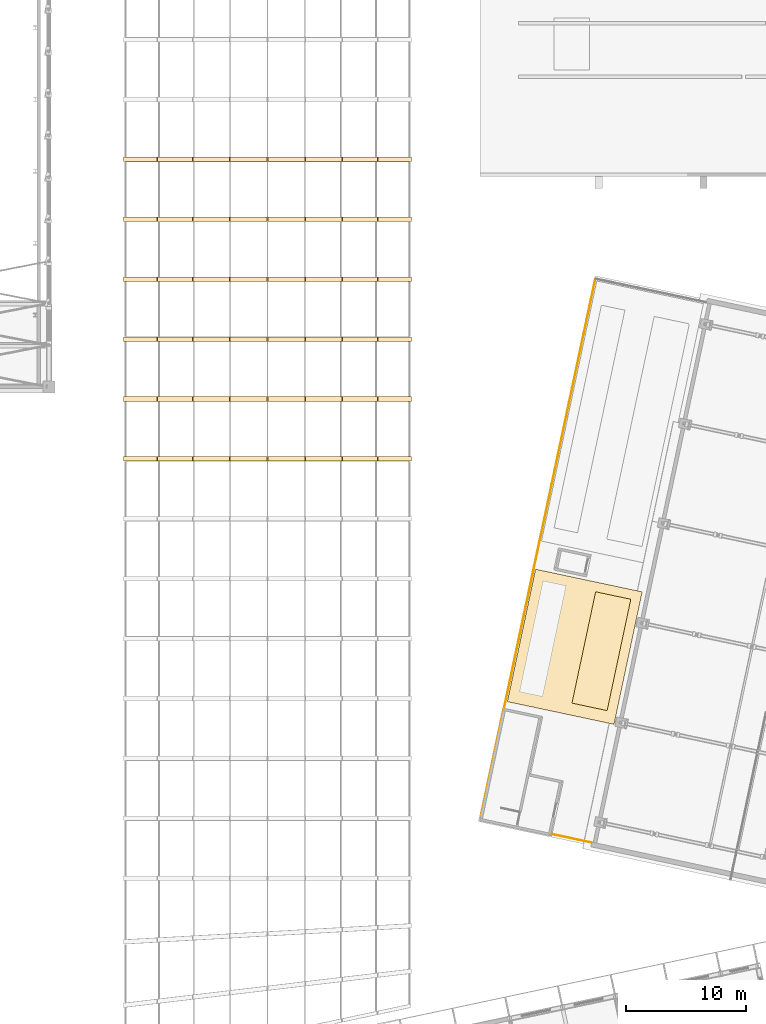
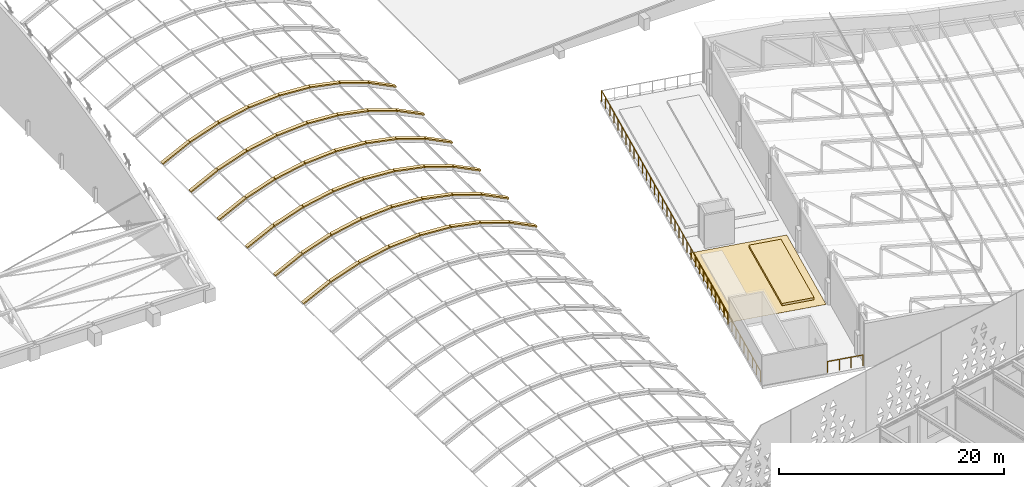
# One storey, part 194 of 196: 50 coverings, 2 railings.
"""IFC4 building model written with IfcOpenShell, lengths in metres."""

import ifcopenshell
import ifcopenshell.guid

model = None  # the IFC model being written
_history = None  # IfcOwnerHistory: only IFC2X3 demands one
_inside = {}  # id of a spatial element -> (the spatial element, [elements in it])
_under = {}  # id of a project, library or spatial element -> (it, [spatial elements below it])
_declared = {}  # id of a project -> (the project, [libraries it declares])
_typed = {}  # id of a type object -> (the type object, [elements of that type])
_made_of = {}  # id of a material, layer set ... -> (it, [elements and type objects made of it])


def new_model(schema):
    """Start an empty IFC model of exactly this schema.

    Asked for "IFC4X3", IfcOpenShell would pick the latest addendum, in which some entities
    have other attributes; the version numbers below select the first issue.
    IFC2X3 requires an IfcOwnerHistory on every rooted entity: one is made here for all.
    """
    global model, _history
    if schema == "IFC4X3":
        model = ifcopenshell.file(schema_version=(4, 3, 0, 0))
    else:
        model = ifcopenshell.file(schema=schema)
    _inside.clear()
    _under.clear()
    _declared.clear()
    _typed.clear()
    _made_of.clear()
    _history = None
    if model.schema == "IFC2X3":
        org = make("IfcOrganization", Name="unknown")
        user = make(
            "IfcPersonAndOrganization",
            ThePerson=make("IfcPerson", FamilyName="unknown"),
            TheOrganization=org,
        )
        app = make(
            "IfcApplication",
            ApplicationDeveloper=org,
            Version="unknown",
            ApplicationFullName="unknown",
            ApplicationIdentifier="unknown",
        )
        _history = make(
            "IfcOwnerHistory",
            OwningUser=user,
            OwningApplication=app,
            ChangeAction="ADDED",
            CreationDate=0,
        )
    return model


def make(cls, **values):
    """One entity of the class cls with the attributes given. An attribute that is None is left unset."""
    return model.create_entity(
        cls, **{name: value for name, value in values.items() if value is not None}
    )


def rooted(cls, **values):
    """An entity with a GlobalId (a new one), such as an element, a storey or a relation."""
    return make(cls, GlobalId=ifcopenshell.guid.new(), OwnerHistory=_history, **values)


def si_unit(unit_type, name, prefix=None):
    """IfcSIUnit, for example si_unit("LENGTHUNIT", "METRE", prefix="MILLI")."""
    return make("IfcSIUnit", UnitType=unit_type, Prefix=prefix, Name=name)


def assignment(units):
    """IfcUnitAssignment: the units of a project."""
    return None if units is None else make("IfcUnitAssignment", Units=units)


def point(xyz):
    """IfcCartesianPoint."""
    return None if xyz is None else make("IfcCartesianPoint", Coordinates=xyz)


def direction(xyz):
    """IfcDirection."""
    return None if xyz is None else make("IfcDirection", DirectionRatios=xyz)


def frame(location, z_axis=None, x_axis=None):
    """IfcAxis2Placement3D, a coordinate frame: its origin and axes. An axis left out is left unset."""
    return make(
        "IfcAxis2Placement3D",
        Location=point(location),
        Axis=direction(z_axis),
        RefDirection=direction(x_axis),
    )


def frame_2d(location, x_axis=None):
    """IfcAxis2Placement2D, a coordinate frame in the plane: its origin and x axis."""
    return make(
        "IfcAxis2Placement2D", Location=point(location), RefDirection=direction(x_axis)
    )


def origin():
    """The frame at (0, 0, 0) with its axes left unset."""
    return frame((0.0, 0.0, 0.0))


def origin_2d():
    """The frame at (0, 0) in the plane with its x axis left unset."""
    return frame_2d((0.0, 0.0))


def place(relative_to, where):
    """IfcLocalPlacement: puts the frame where relative to a parent placement (None: the world)."""
    return make(
        "IfcLocalPlacement", PlacementRelTo=relative_to, RelativePlacement=where
    )


def context(
    kind, dimensions, precision=None, world=None, true_north=None, identifier=None
):
    """IfcGeometricRepresentationContext, for example the 3D "Model" context."""
    return make(
        "IfcGeometricRepresentationContext",
        ContextIdentifier=identifier,
        ContextType=kind,
        CoordinateSpaceDimension=dimensions,
        Precision=precision,
        WorldCoordinateSystem=world,
        TrueNorth=true_north,
    )


def subcontext(parent, identifier, kind, view, scale=None):
    """IfcGeometricRepresentationSubContext, for example "Body" below "Model"."""
    return make(
        "IfcGeometricRepresentationSubContext",
        ContextIdentifier=identifier,
        ContextType=kind,
        ParentContext=parent,
        TargetScale=scale,
        TargetView=view,
    )


def project(units=None, contexts=None):
    """IfcProject with its units and contexts."""
    return rooted(
        "IfcProject",
        Name="project",
        RepresentationContexts=contexts,
        UnitsInContext=assignment(units),
    )


def spatial(cls, under=None, at=None, **own):
    """A site, building, storey or space (cls), placed at a placement, below another one or the project."""
    s = rooted(cls, ObjectPlacement=at, **own)
    if under is not None:
        _under.setdefault(under.id(), (under, []))[1].append(s)
    return s


def polyline(points):
    """IfcPolyline through the points."""
    return make("IfcPolyline", Points=[point(p) for p in points])


def profile(cls, at=None, kind="AREA", **sizes):
    """A parametric profile (cls). Its sizes go by their IFC names, for example OverallWidth=200.0."""
    return make(cls, ProfileType=kind, Position=at, **sizes)


def circle(**sizes):
    """IfcCircleProfileDef."""
    return profile("IfcCircleProfileDef", **sizes)


def outline(outer, holes=None, kind="AREA"):
    """IfcArbitraryClosedProfileDef: a profile drawn as a closed curve; with holes, ...WithVoids."""
    if holes is None:
        return make("IfcArbitraryClosedProfileDef", ProfileType=kind, OuterCurve=outer)
    return make(
        "IfcArbitraryProfileDefWithVoids",
        ProfileType=kind,
        OuterCurve=outer,
        InnerCurves=holes,
    )


def extrude(swept, where, along, depth):
    """IfcExtrudedAreaSolid: the profile swept, set in the frame where, extruded along a direction by depth."""
    return make(
        "IfcExtrudedAreaSolid",
        SweptArea=swept,
        Position=where,
        ExtrudedDirection=direction(along),
        Depth=depth,
    )


def shape(context_of_items, identifier, shape_type, items):
    """IfcShapeRepresentation: the items that make up one representation, for example the "Body"."""
    return make(
        "IfcShapeRepresentation",
        ContextOfItems=context_of_items,
        RepresentationIdentifier=identifier,
        RepresentationType=shape_type,
        Items=items,
    )


def material(Name=None, Category=None):
    """IfcMaterial."""
    return make("IfcMaterial", Name=Name, Category=Category)


def layer(
    of_material, thickness, ventilated=None, Name=None, Category=None, Priority=None
):
    """IfcMaterialLayer: one layer of a wall or slab, of a material (None: an air gap)."""
    return make(
        "IfcMaterialLayer",
        Material=of_material,
        LayerThickness=thickness,
        IsVentilated=ventilated,
        Name=Name,
        Category=Category,
        Priority=Priority,
    )


def layer_set(layers, Name=None):
    """IfcMaterialLayerSet."""
    return make("IfcMaterialLayerSet", MaterialLayers=layers, LayerSetName=Name)


def made_of(thing, what):
    """Note that an element or type object is made of a material, layer set ...; save() writes the relation."""
    if what is not None:
        _made_of.setdefault(what.id(), (what, []))[1].append(thing)
    return thing


def type_object(cls, material=None, **own):
    """A type object (cls), such as IfcWallType, which elements share."""
    return made_of(rooted(cls, **own), material)


def element(
    cls,
    number,
    at=None,
    inside=None,
    cuts=None,
    type_object=None,
    material=None,
    context=None,
    identifier="Body",
    shape_type=None,
    held_by="IfcProductDefinitionShape",
    body=None,
    shapes=None,
    **own,
):
    """One element of the class cls, such as IfcWall. Its Tag is "e" and its number.

    at: its placement. inside: the storey or other place that contains it. cuts: it is an
    opening in that element (IfcRelVoidsElement). A single representation is given by context,
    identifier, shape_type and body (its items); several are given by shapes. held_by: the class
    of the entity that holds the representations. save() writes the other relations.
    """
    e = rooted(cls, Tag="e%d" % number, ObjectPlacement=at, **own)
    if body is not None:
        shapes = [shape(context, identifier, shape_type, body)]
    if shapes is not None:
        e.Representation = make(held_by, Representations=shapes)
    if inside is not None:
        _inside.setdefault(inside.id(), (inside, []))[1].append(e)
    if cuts is not None:
        rooted(
            "IfcRelVoidsElement", RelatingBuildingElement=cuts, RelatedOpeningElement=e
        )
    if type_object is not None:
        _typed.setdefault(type_object.id(), (type_object, []))[1].append(e)
    return made_of(e, material)


def aggregate(whole, parts):
    """IfcRelAggregates: a whole, such as a stair, and the parts it consists of."""
    return rooted("IfcRelAggregates", RelatingObject=whole, RelatedObjects=parts)


def save(model, path):
    """Write the relations noted so far, then the file.

    IfcRelAggregates (storeys below a building ...), IfcRelContainedInSpatialStructure (elements
    in a storey), IfcRelDefinesByType, IfcRelAssociatesMaterial and IfcRelDeclares: one each for
    every whole, place, type object, material and project.
    """
    for whole, parts in _under.values():
        aggregate(whole, parts)
    for where, things in _inside.values():
        rooted(
            "IfcRelContainedInSpatialStructure",
            RelatedElements=things,
            RelatingStructure=where,
        )
    for kind, things in _typed.values():
        rooted("IfcRelDefinesByType", RelatedObjects=things, RelatingType=kind)
    for what, things in _made_of.values():
        rooted("IfcRelAssociatesMaterial", RelatedObjects=things, RelatingMaterial=what)
    for by, libraries in _declared.values():
        rooted("IfcRelDeclares", RelatingContext=by, RelatedDefinitions=libraries)
    model.write(path)


model = new_model("IFC4")

# Units and contexts
model_context = context("Model", 3, precision=1e-05, world=origin(), true_north=direction((0.0, 1.0)))
body_context = subcontext(model_context, "Body", "Model", "MODEL_VIEW")
ifc_project = project(units=[si_unit("LENGTHUNIT", "METRE"), si_unit("AREAUNIT", "SQUARE_METRE"), si_unit("VOLUMEUNIT", "CUBIC_METRE"), si_unit("PLANEANGLEUNIT", "RADIAN"), si_unit("MASSUNIT", "GRAM", prefix="KILO")], contexts=[model_context])

# Site, building, storey
site_placement = place(None, origin())
site = spatial("IfcSite", under=ifc_project, at=site_placement, CompositionType="ELEMENT")
building_placement = place(site_placement, origin())
building = spatial("IfcBuilding", under=site, at=building_placement, Name="Okhra Congress Centre", CompositionType="ELEMENT")
storey_placement = place(building_placement, frame((0.0, 0.0, 12.0)))
storey = spatial("IfcBuildingStorey", under=building, at=storey_placement, Name="L02", CompositionType="ELEMENT", Elevation=12.0)

# Coverings
ifc_material_1 = material(Name="Extruded aluminium capping, thermally broken", Category="aluminium")
ifc_layer_1 = layer(ifc_material_1, 0.139892578125)
ifc_layer_set_1 = layer_set([ifc_layer_1], Name="Aluminium rib capping 380")
covering_type_1 = type_object("IfcCoveringType", Name="Aluminium rib capping 380", PredefinedType="CLADDING", material=ifc_layer_set_1)
covering_1_placement = place(storey_placement, frame((160.248291015625, 125.81005859375, 1.1064453125), z_axis=(-0.445569024037, 0.0, 0.895247588558), x_axis=(0.895247588558, 0.0, 0.445569024037)))
element("IfcCovering", 1, at=covering_1_placement, inside=storey, type_object=covering_type_1, Name="Rib capping 11.3", PredefinedType="CLADDING", context=body_context, shape_type="SweptSolid", body=[
    extrude(outline(polyline([(0.0, 0.0), (3.089229209156341, 0.0), (3.089229209156341, 0.3798828125), (0.0, 0.3798828125), (0.0, 0.0)])), origin(), (0.0, 0.0, -1.0), 0.139892578125),
])
covering_2_placement = place(storey_placement, frame((163.069091796875, 125.81005859375, 2.506103515625), z_axis=(-0.323875724276, 0.0, 0.946099632822), x_axis=(0.946099632822, 0.0, 0.323875724276)))
element("IfcCovering", 2, at=covering_2_placement, inside=storey, type_object=covering_type_1, Name="Rib capping 11.4", PredefinedType="CLADDING", context=body_context, shape_type="SweptSolid", body=[
    extrude(outline(polyline([(0.0, 0.0), (3.0891116754363894, 0.0), (3.0891116754363894, 0.3798828125), (0.0, 0.3798828125), (0.0, 0.0)])), origin(), (0.0, 0.0, -1.0), 0.139892578125),
])
covering_3_placement = place(storey_placement, frame((166.049560546875, 125.81005859375, 3.522216796875), z_axis=(-0.196632858865, 0.0, 0.980477189339), x_axis=(0.980477189339, 0.0, 0.196632858865)))
element("IfcCovering", 3, at=covering_3_placement, inside=storey, type_object=covering_type_1, Name="Rib capping 11.5", PredefinedType="CLADDING", context=body_context, shape_type="SweptSolid", body=[
    extrude(outline(polyline([(0.0, 0.0), (3.089116836864927, 0.0), (3.089116836864927, 0.3798828125), (0.0, 0.3798828125), (0.0, 0.0)])), origin(), (0.0, 0.0, -1.0), 0.139892578125),
])
for number, where, z_axis, x_axis, name in (
    (4, (169.1376953125, 125.81005859375, 4.137451171875), (-0.065994431109, 0.0, 0.997819991312), (0.997819991312, 0.0, 0.065994431109), "Rib capping 11.6"),
    (5, (172.280029296875, 125.81005859375, 4.34130859375), (0.065994431109, 0.0, 0.997819991312), (0.997819991312, 0.0, -0.065994431109), "Rib capping 11.7"),
):
    element("IfcCovering", number, at=place(storey_placement, frame(where, z_axis=z_axis, x_axis=x_axis)), inside=storey, type_object=covering_type_1, Name=name, PredefinedType="CLADDING", context=body_context, shape_type="SweptSolid", body=[
        extrude(outline(polyline([(0.0, 0.0), (3.0890094580797283, 0.0), (3.0890094580797283, 0.3798828125), (0.0, 0.3798828125), (0.0, 0.0)])), origin(), (0.0, 0.0, -1.0), 0.139892578125),
    ])
covering_4_placement = place(storey_placement, frame((175.421630859375, 125.81005859375, 4.129638671875), z_axis=(0.196632858865, 0.0, 0.980477189339), x_axis=(0.980477189339, 0.0, -0.196632858865)))
element("IfcCovering", 6, at=covering_4_placement, inside=storey, type_object=covering_type_1, Name="Rib capping 11.8", PredefinedType="CLADDING", context=body_context, shape_type="SweptSolid", body=[
    extrude(outline(polyline([(0.0, 0.0), (3.089116836864927, 0.0), (3.089116836864927, 0.3798828125), (0.0, 0.3798828125), (0.0, 0.0)])), origin(), (0.0, 0.0, -1.0), 0.139892578125),
])
covering_5_placement = place(storey_placement, frame((178.50830078125, 125.81005859375, 3.506591796875), z_axis=(0.323875724276, 0.0, 0.946099632822), x_axis=(0.946099632822, 0.0, -0.323875724276)))
element("IfcCovering", 7, at=covering_5_placement, inside=storey, type_object=covering_type_1, Name="Rib capping 11.9", PredefinedType="CLADDING", context=body_context, shape_type="SweptSolid", body=[
    extrude(outline(polyline([(0.0, 0.0), (3.0891116754363894, 0.0), (3.0891116754363894, 0.3798828125), (0.0, 0.3798828125), (0.0, 0.0)])), origin(), (0.0, 0.0, -1.0), 0.139892578125),
])
for number, where, z_axis, x_axis, name in (
    (8, (181.486083984375, 125.81005859375, 2.48291015625), (0.445569024037, 0.0, 0.895247588558), (0.895247588558, 0.0, -0.445569024037), "Rib capping 11.10"),
    (9, (160.248291015625, 130.81005859375, 1.1064453125), (-0.445569024037, 0.0, 0.895247588558), (0.895247588558, 0.0, 0.445569024037), "Rib capping 12.3"),
):
    element("IfcCovering", number, at=place(storey_placement, frame(where, z_axis=z_axis, x_axis=x_axis)), inside=storey, type_object=covering_type_1, Name=name, PredefinedType="CLADDING", context=body_context, shape_type="SweptSolid", body=[
        extrude(outline(polyline([(0.0, 0.0), (3.089229209156341, 0.0), (3.089229209156341, 0.3798828125), (0.0, 0.3798828125), (0.0, 0.0)])), origin(), (0.0, 0.0, -1.0), 0.139892578125),
    ])
covering_6_placement = place(storey_placement, frame((163.069091796875, 130.81005859375, 2.506103515625), z_axis=(-0.323875724276, 0.0, 0.946099632822), x_axis=(0.946099632822, 0.0, 0.323875724276)))
element("IfcCovering", 10, at=covering_6_placement, inside=storey, type_object=covering_type_1, Name="Rib capping 12.4", PredefinedType="CLADDING", context=body_context, shape_type="SweptSolid", body=[
    extrude(outline(polyline([(0.0, 0.0), (3.0891116754363894, 0.0), (3.0891116754363894, 0.3798828125), (0.0, 0.3798828125), (0.0, 0.0)])), origin(), (0.0, 0.0, -1.0), 0.139892578125),
])
covering_7_placement = place(storey_placement, frame((166.049560546875, 130.81005859375, 3.522216796875), z_axis=(-0.196632858865, 0.0, 0.980477189339), x_axis=(0.980477189339, 0.0, 0.196632858865)))
element("IfcCovering", 11, at=covering_7_placement, inside=storey, type_object=covering_type_1, Name="Rib capping 12.5", PredefinedType="CLADDING", context=body_context, shape_type="SweptSolid", body=[
    extrude(outline(polyline([(0.0, 0.0), (3.089116836864927, 0.0), (3.089116836864927, 0.3798828125), (0.0, 0.3798828125), (0.0, 0.0)])), origin(), (0.0, 0.0, -1.0), 0.139892578125),
])
for number, where, z_axis, x_axis, name in (
    (12, (169.1376953125, 130.81005859375, 4.137451171875), (-0.065994431109, 0.0, 0.997819991312), (0.997819991312, 0.0, 0.065994431109), "Rib capping 12.6"),
    (13, (172.280029296875, 130.81005859375, 4.34130859375), (0.065994431109, 0.0, 0.997819991312), (0.997819991312, 0.0, -0.065994431109), "Rib capping 12.7"),
):
    element("IfcCovering", number, at=place(storey_placement, frame(where, z_axis=z_axis, x_axis=x_axis)), inside=storey, type_object=covering_type_1, Name=name, PredefinedType="CLADDING", context=body_context, shape_type="SweptSolid", body=[
        extrude(outline(polyline([(0.0, 0.0), (3.0890094580797283, 0.0), (3.0890094580797283, 0.3798828125), (0.0, 0.3798828125), (0.0, 0.0)])), origin(), (0.0, 0.0, -1.0), 0.139892578125),
    ])
covering_8_placement = place(storey_placement, frame((175.421630859375, 130.81005859375, 4.129638671875), z_axis=(0.196632858865, 0.0, 0.980477189339), x_axis=(0.980477189339, 0.0, -0.196632858865)))
element("IfcCovering", 14, at=covering_8_placement, inside=storey, type_object=covering_type_1, Name="Rib capping 12.8", PredefinedType="CLADDING", context=body_context, shape_type="SweptSolid", body=[
    extrude(outline(polyline([(0.0, 0.0), (3.089116836864927, 0.0), (3.089116836864927, 0.3798828125), (0.0, 0.3798828125), (0.0, 0.0)])), origin(), (0.0, 0.0, -1.0), 0.139892578125),
])
covering_9_placement = place(storey_placement, frame((178.50830078125, 130.81005859375, 3.506591796875), z_axis=(0.323875724276, 0.0, 0.946099632822), x_axis=(0.946099632822, 0.0, -0.323875724276)))
element("IfcCovering", 15, at=covering_9_placement, inside=storey, type_object=covering_type_1, Name="Rib capping 12.9", PredefinedType="CLADDING", context=body_context, shape_type="SweptSolid", body=[
    extrude(outline(polyline([(0.0, 0.0), (3.0891116754363894, 0.0), (3.0891116754363894, 0.3798828125), (0.0, 0.3798828125), (0.0, 0.0)])), origin(), (0.0, 0.0, -1.0), 0.139892578125),
])
for number, where, z_axis, x_axis, name in (
    (16, (181.486083984375, 130.81005859375, 2.48291015625), (0.445569024037, 0.0, 0.895247588558), (0.895247588558, 0.0, -0.445569024037), "Rib capping 12.10"),
    (17, (160.248291015625, 135.81005859375, 1.1064453125), (-0.445569024037, 0.0, 0.895247588558), (0.895247588558, 0.0, 0.445569024037), "Rib capping 13.3"),
):
    element("IfcCovering", number, at=place(storey_placement, frame(where, z_axis=z_axis, x_axis=x_axis)), inside=storey, type_object=covering_type_1, Name=name, PredefinedType="CLADDING", context=body_context, shape_type="SweptSolid", body=[
        extrude(outline(polyline([(0.0, 0.0), (3.089229209156341, 0.0), (3.089229209156341, 0.3798828125), (0.0, 0.3798828125), (0.0, 0.0)])), origin(), (0.0, 0.0, -1.0), 0.139892578125),
    ])
covering_10_placement = place(storey_placement, frame((163.069091796875, 135.81005859375, 2.506103515625), z_axis=(-0.323875724276, 0.0, 0.946099632822), x_axis=(0.946099632822, 0.0, 0.323875724276)))
element("IfcCovering", 18, at=covering_10_placement, inside=storey, type_object=covering_type_1, Name="Rib capping 13.4", PredefinedType="CLADDING", context=body_context, shape_type="SweptSolid", body=[
    extrude(outline(polyline([(0.0, 0.0), (3.0891116754363894, 0.0), (3.0891116754363894, 0.3798828125), (0.0, 0.3798828125), (0.0, 0.0)])), origin(), (0.0, 0.0, -1.0), 0.139892578125),
])
covering_11_placement = place(storey_placement, frame((166.049560546875, 135.81005859375, 3.522216796875), z_axis=(-0.196632858865, 0.0, 0.980477189339), x_axis=(0.980477189339, 0.0, 0.196632858865)))
element("IfcCovering", 19, at=covering_11_placement, inside=storey, type_object=covering_type_1, Name="Rib capping 13.5", PredefinedType="CLADDING", context=body_context, shape_type="SweptSolid", body=[
    extrude(outline(polyline([(0.0, 0.0), (3.089116836864927, 0.0), (3.089116836864927, 0.3798828125), (0.0, 0.3798828125), (0.0, 0.0)])), origin(), (0.0, 0.0, -1.0), 0.139892578125),
])
for number, where, z_axis, x_axis, name in (
    (20, (169.1376953125, 135.81005859375, 4.137451171875), (-0.065994431109, 0.0, 0.997819991312), (0.997819991312, 0.0, 0.065994431109), "Rib capping 13.6"),
    (21, (172.280029296875, 135.81005859375, 4.34130859375), (0.065994431109, 0.0, 0.997819991312), (0.997819991312, 0.0, -0.065994431109), "Rib capping 13.7"),
):
    element("IfcCovering", number, at=place(storey_placement, frame(where, z_axis=z_axis, x_axis=x_axis)), inside=storey, type_object=covering_type_1, Name=name, PredefinedType="CLADDING", context=body_context, shape_type="SweptSolid", body=[
        extrude(outline(polyline([(0.0, 0.0), (3.0890094580797283, 0.0), (3.0890094580797283, 0.3798828125), (0.0, 0.3798828125), (0.0, 0.0)])), origin(), (0.0, 0.0, -1.0), 0.139892578125),
    ])
covering_12_placement = place(storey_placement, frame((175.421630859375, 135.81005859375, 4.129638671875), z_axis=(0.196632858865, 0.0, 0.980477189339), x_axis=(0.980477189339, 0.0, -0.196632858865)))
element("IfcCovering", 22, at=covering_12_placement, inside=storey, type_object=covering_type_1, Name="Rib capping 13.8", PredefinedType="CLADDING", context=body_context, shape_type="SweptSolid", body=[
    extrude(outline(polyline([(0.0, 0.0), (3.089116836864927, 0.0), (3.089116836864927, 0.3798828125), (0.0, 0.3798828125), (0.0, 0.0)])), origin(), (0.0, 0.0, -1.0), 0.139892578125),
])
covering_13_placement = place(storey_placement, frame((178.50830078125, 135.81005859375, 3.506591796875), z_axis=(0.323875724276, 0.0, 0.946099632822), x_axis=(0.946099632822, 0.0, -0.323875724276)))
element("IfcCovering", 23, at=covering_13_placement, inside=storey, type_object=covering_type_1, Name="Rib capping 13.9", PredefinedType="CLADDING", context=body_context, shape_type="SweptSolid", body=[
    extrude(outline(polyline([(0.0, 0.0), (3.0891116754363894, 0.0), (3.0891116754363894, 0.3798828125), (0.0, 0.3798828125), (0.0, 0.0)])), origin(), (0.0, 0.0, -1.0), 0.139892578125),
])
for number, where, z_axis, x_axis, name in (
    (24, (181.486083984375, 135.81005859375, 2.48291015625), (0.445569024037, 0.0, 0.895247588558), (0.895247588558, 0.0, -0.445569024037), "Rib capping 13.10"),
    (25, (160.248291015625, 140.81005859375, 1.1064453125), (-0.445569024037, 0.0, 0.895247588558), (0.895247588558, 0.0, 0.445569024037), "Rib capping 14.3"),
):
    element("IfcCovering", number, at=place(storey_placement, frame(where, z_axis=z_axis, x_axis=x_axis)), inside=storey, type_object=covering_type_1, Name=name, PredefinedType="CLADDING", context=body_context, shape_type="SweptSolid", body=[
        extrude(outline(polyline([(0.0, 0.0), (3.089229209156341, 0.0), (3.089229209156341, 0.3798828125), (0.0, 0.3798828125), (0.0, 0.0)])), origin(), (0.0, 0.0, -1.0), 0.139892578125),
    ])
covering_14_placement = place(storey_placement, frame((163.069091796875, 140.81005859375, 2.506103515625), z_axis=(-0.323875724276, 0.0, 0.946099632822), x_axis=(0.946099632822, 0.0, 0.323875724276)))
element("IfcCovering", 26, at=covering_14_placement, inside=storey, type_object=covering_type_1, Name="Rib capping 14.4", PredefinedType="CLADDING", context=body_context, shape_type="SweptSolid", body=[
    extrude(outline(polyline([(0.0, 0.0), (3.0891116754363894, 0.0), (3.0891116754363894, 0.3798828125), (0.0, 0.3798828125), (0.0, 0.0)])), origin(), (0.0, 0.0, -1.0), 0.139892578125),
])
covering_15_placement = place(storey_placement, frame((166.049560546875, 140.81005859375, 3.522216796875), z_axis=(-0.196632858865, 0.0, 0.980477189339), x_axis=(0.980477189339, 0.0, 0.196632858865)))
element("IfcCovering", 27, at=covering_15_placement, inside=storey, type_object=covering_type_1, Name="Rib capping 14.5", PredefinedType="CLADDING", context=body_context, shape_type="SweptSolid", body=[
    extrude(outline(polyline([(0.0, 0.0), (3.089116836864927, 0.0), (3.089116836864927, 0.3798828125), (0.0, 0.3798828125), (0.0, 0.0)])), origin(), (0.0, 0.0, -1.0), 0.139892578125),
])
for number, where, z_axis, x_axis, name in (
    (28, (169.1376953125, 140.81005859375, 4.137451171875), (-0.065994431109, 0.0, 0.997819991312), (0.997819991312, 0.0, 0.065994431109), "Rib capping 14.6"),
    (29, (172.280029296875, 140.81005859375, 4.34130859375), (0.065994431109, 0.0, 0.997819991312), (0.997819991312, 0.0, -0.065994431109), "Rib capping 14.7"),
):
    element("IfcCovering", number, at=place(storey_placement, frame(where, z_axis=z_axis, x_axis=x_axis)), inside=storey, type_object=covering_type_1, Name=name, PredefinedType="CLADDING", context=body_context, shape_type="SweptSolid", body=[
        extrude(outline(polyline([(0.0, 0.0), (3.0890094580797283, 0.0), (3.0890094580797283, 0.3798828125), (0.0, 0.3798828125), (0.0, 0.0)])), origin(), (0.0, 0.0, -1.0), 0.139892578125),
    ])
covering_16_placement = place(storey_placement, frame((175.421630859375, 140.81005859375, 4.129638671875), z_axis=(0.196632858865, 0.0, 0.980477189339), x_axis=(0.980477189339, 0.0, -0.196632858865)))
element("IfcCovering", 30, at=covering_16_placement, inside=storey, type_object=covering_type_1, Name="Rib capping 14.8", PredefinedType="CLADDING", context=body_context, shape_type="SweptSolid", body=[
    extrude(outline(polyline([(0.0, 0.0), (3.089116836864927, 0.0), (3.089116836864927, 0.3798828125), (0.0, 0.3798828125), (0.0, 0.0)])), origin(), (0.0, 0.0, -1.0), 0.139892578125),
])
covering_17_placement = place(storey_placement, frame((178.50830078125, 140.81005859375, 3.506591796875), z_axis=(0.323875724276, 0.0, 0.946099632822), x_axis=(0.946099632822, 0.0, -0.323875724276)))
element("IfcCovering", 31, at=covering_17_placement, inside=storey, type_object=covering_type_1, Name="Rib capping 14.9", PredefinedType="CLADDING", context=body_context, shape_type="SweptSolid", body=[
    extrude(outline(polyline([(0.0, 0.0), (3.0891116754363894, 0.0), (3.0891116754363894, 0.3798828125), (0.0, 0.3798828125), (0.0, 0.0)])), origin(), (0.0, 0.0, -1.0), 0.139892578125),
])
for number, where, z_axis, x_axis, name in (
    (32, (181.486083984375, 140.81005859375, 2.48291015625), (0.445569024037, 0.0, 0.895247588558), (0.895247588558, 0.0, -0.445569024037), "Rib capping 14.10"),
    (33, (160.248291015625, 145.81005859375, 1.1064453125), (-0.445569024037, 0.0, 0.895247588558), (0.895247588558, 0.0, 0.445569024037), "Rib capping 15.3"),
):
    element("IfcCovering", number, at=place(storey_placement, frame(where, z_axis=z_axis, x_axis=x_axis)), inside=storey, type_object=covering_type_1, Name=name, PredefinedType="CLADDING", context=body_context, shape_type="SweptSolid", body=[
        extrude(outline(polyline([(0.0, 0.0), (3.089229209156341, 0.0), (3.089229209156341, 0.3798828125), (0.0, 0.3798828125), (0.0, 0.0)])), origin(), (0.0, 0.0, -1.0), 0.139892578125),
    ])
covering_18_placement = place(storey_placement, frame((163.069091796875, 145.81005859375, 2.506103515625), z_axis=(-0.323875724276, 0.0, 0.946099632822), x_axis=(0.946099632822, 0.0, 0.323875724276)))
element("IfcCovering", 34, at=covering_18_placement, inside=storey, type_object=covering_type_1, Name="Rib capping 15.4", PredefinedType="CLADDING", context=body_context, shape_type="SweptSolid", body=[
    extrude(outline(polyline([(0.0, 0.0), (3.0891116754363894, 0.0), (3.0891116754363894, 0.3798828125), (0.0, 0.3798828125), (0.0, 0.0)])), origin(), (0.0, 0.0, -1.0), 0.139892578125),
])
covering_19_placement = place(storey_placement, frame((166.049560546875, 145.81005859375, 3.522216796875), z_axis=(-0.196632858865, 0.0, 0.980477189339), x_axis=(0.980477189339, 0.0, 0.196632858865)))
element("IfcCovering", 35, at=covering_19_placement, inside=storey, type_object=covering_type_1, Name="Rib capping 15.5", PredefinedType="CLADDING", context=body_context, shape_type="SweptSolid", body=[
    extrude(outline(polyline([(0.0, 0.0), (3.089116836864927, 0.0), (3.089116836864927, 0.3798828125), (0.0, 0.3798828125), (0.0, 0.0)])), origin(), (0.0, 0.0, -1.0), 0.139892578125),
])
for number, where, z_axis, x_axis, name in (
    (36, (169.1376953125, 145.81005859375, 4.137451171875), (-0.065994431109, 0.0, 0.997819991312), (0.997819991312, 0.0, 0.065994431109), "Rib capping 15.6"),
    (37, (172.280029296875, 145.81005859375, 4.34130859375), (0.065994431109, 0.0, 0.997819991312), (0.997819991312, 0.0, -0.065994431109), "Rib capping 15.7"),
):
    element("IfcCovering", number, at=place(storey_placement, frame(where, z_axis=z_axis, x_axis=x_axis)), inside=storey, type_object=covering_type_1, Name=name, PredefinedType="CLADDING", context=body_context, shape_type="SweptSolid", body=[
        extrude(outline(polyline([(0.0, 0.0), (3.0890094580797283, 0.0), (3.0890094580797283, 0.3798828125), (0.0, 0.3798828125), (0.0, 0.0)])), origin(), (0.0, 0.0, -1.0), 0.139892578125),
    ])
covering_20_placement = place(storey_placement, frame((175.421630859375, 145.81005859375, 4.129638671875), z_axis=(0.196632858865, 0.0, 0.980477189339), x_axis=(0.980477189339, 0.0, -0.196632858865)))
element("IfcCovering", 38, at=covering_20_placement, inside=storey, type_object=covering_type_1, Name="Rib capping 15.8", PredefinedType="CLADDING", context=body_context, shape_type="SweptSolid", body=[
    extrude(outline(polyline([(0.0, 0.0), (3.089116836864927, 0.0), (3.089116836864927, 0.3798828125), (0.0, 0.3798828125), (0.0, 0.0)])), origin(), (0.0, 0.0, -1.0), 0.139892578125),
])
covering_21_placement = place(storey_placement, frame((178.50830078125, 145.81005859375, 3.506591796875), z_axis=(0.323875724276, 0.0, 0.946099632822), x_axis=(0.946099632822, 0.0, -0.323875724276)))
element("IfcCovering", 39, at=covering_21_placement, inside=storey, type_object=covering_type_1, Name="Rib capping 15.9", PredefinedType="CLADDING", context=body_context, shape_type="SweptSolid", body=[
    extrude(outline(polyline([(0.0, 0.0), (3.0891116754363894, 0.0), (3.0891116754363894, 0.3798828125), (0.0, 0.3798828125), (0.0, 0.0)])), origin(), (0.0, 0.0, -1.0), 0.139892578125),
])
for number, where, z_axis, x_axis, name in (
    (40, (181.486083984375, 145.81005859375, 2.48291015625), (0.445569024037, 0.0, 0.895247588558), (0.895247588558, 0.0, -0.445569024037), "Rib capping 15.10"),
    (41, (160.248291015625, 150.81005859375, 1.1064453125), (-0.445569024037, 0.0, 0.895247588558), (0.895247588558, 0.0, 0.445569024037), "Rib capping 16.3"),
):
    element("IfcCovering", number, at=place(storey_placement, frame(where, z_axis=z_axis, x_axis=x_axis)), inside=storey, type_object=covering_type_1, Name=name, PredefinedType="CLADDING", context=body_context, shape_type="SweptSolid", body=[
        extrude(outline(polyline([(0.0, 0.0), (3.089229209156341, 0.0), (3.089229209156341, 0.3798828125), (0.0, 0.3798828125), (0.0, 0.0)])), origin(), (0.0, 0.0, -1.0), 0.139892578125),
    ])
covering_22_placement = place(storey_placement, frame((163.069091796875, 150.81005859375, 2.506103515625), z_axis=(-0.323875724276, 0.0, 0.946099632822), x_axis=(0.946099632822, 0.0, 0.323875724276)))
element("IfcCovering", 42, at=covering_22_placement, inside=storey, type_object=covering_type_1, Name="Rib capping 16.4", PredefinedType="CLADDING", context=body_context, shape_type="SweptSolid", body=[
    extrude(outline(polyline([(0.0, 0.0), (3.0891116754363894, 0.0), (3.0891116754363894, 0.3798828125), (0.0, 0.3798828125), (0.0, 0.0)])), origin(), (0.0, 0.0, -1.0), 0.139892578125),
])
covering_23_placement = place(storey_placement, frame((166.049560546875, 150.81005859375, 3.522216796875), z_axis=(-0.196632858865, 0.0, 0.980477189339), x_axis=(0.980477189339, 0.0, 0.196632858865)))
element("IfcCovering", 43, at=covering_23_placement, inside=storey, type_object=covering_type_1, Name="Rib capping 16.5", PredefinedType="CLADDING", context=body_context, shape_type="SweptSolid", body=[
    extrude(outline(polyline([(0.0, 0.0), (3.089116836864927, 0.0), (3.089116836864927, 0.3798828125), (0.0, 0.3798828125), (0.0, 0.0)])), origin(), (0.0, 0.0, -1.0), 0.139892578125),
])
for number, where, z_axis, x_axis, name in (
    (44, (169.1376953125, 150.81005859375, 4.137451171875), (-0.065994431109, 0.0, 0.997819991312), (0.997819991312, 0.0, 0.065994431109), "Rib capping 16.6"),
    (45, (172.280029296875, 150.81005859375, 4.34130859375), (0.065994431109, 0.0, 0.997819991312), (0.997819991312, 0.0, -0.065994431109), "Rib capping 16.7"),
):
    element("IfcCovering", number, at=place(storey_placement, frame(where, z_axis=z_axis, x_axis=x_axis)), inside=storey, type_object=covering_type_1, Name=name, PredefinedType="CLADDING", context=body_context, shape_type="SweptSolid", body=[
        extrude(outline(polyline([(0.0, 0.0), (3.0890094580797283, 0.0), (3.0890094580797283, 0.3798828125), (0.0, 0.3798828125), (0.0, 0.0)])), origin(), (0.0, 0.0, -1.0), 0.139892578125),
    ])
covering_24_placement = place(storey_placement, frame((175.421630859375, 150.81005859375, 4.129638671875), z_axis=(0.196632858865, 0.0, 0.980477189339), x_axis=(0.980477189339, 0.0, -0.196632858865)))
element("IfcCovering", 46, at=covering_24_placement, inside=storey, type_object=covering_type_1, Name="Rib capping 16.8", PredefinedType="CLADDING", context=body_context, shape_type="SweptSolid", body=[
    extrude(outline(polyline([(0.0, 0.0), (3.089116836864927, 0.0), (3.089116836864927, 0.3798828125), (0.0, 0.3798828125), (0.0, 0.0)])), origin(), (0.0, 0.0, -1.0), 0.139892578125),
])
covering_25_placement = place(storey_placement, frame((178.50830078125, 150.81005859375, 3.506591796875), z_axis=(0.323875724276, 0.0, 0.946099632822), x_axis=(0.946099632822, 0.0, -0.323875724276)))
element("IfcCovering", 47, at=covering_25_placement, inside=storey, type_object=covering_type_1, Name="Rib capping 16.9", PredefinedType="CLADDING", context=body_context, shape_type="SweptSolid", body=[
    extrude(outline(polyline([(0.0, 0.0), (3.0891116754363894, 0.0), (3.0891116754363894, 0.3798828125), (0.0, 0.3798828125), (0.0, 0.0)])), origin(), (0.0, 0.0, -1.0), 0.139892578125),
])
covering_26_placement = place(storey_placement, frame((181.486083984375, 150.81005859375, 2.48291015625), z_axis=(0.445569024037, 0.0, 0.895247588558), x_axis=(0.895247588558, 0.0, -0.445569024037)))
element("IfcCovering", 48, at=covering_26_placement, inside=storey, type_object=covering_type_1, Name="Rib capping 16.10", PredefinedType="CLADDING", context=body_context, shape_type="SweptSolid", body=[
    extrude(outline(polyline([(0.0, 0.0), (3.089229209156341, 0.0), (3.089229209156341, 0.3798828125), (0.0, 0.3798828125), (0.0, 0.0)])), origin(), (0.0, 0.0, -1.0), 0.139892578125),
])

# Railings
ifc_material_2 = material(Name="Laminated toughened glass balustrade with a stainless handrail, fixed in a base channel", Category="glass")
railing_type = type_object("IfcRailingType", Name="Glass balustrade guard 1200", PredefinedType="GUARDRAIL", material=ifc_material_2)
railing_1_placement = place(storey_placement, frame((196.005126953125, 94.67236328125, 0.0)))
element("IfcRailing", 49, at=railing_1_placement, inside=storey, type_object=railing_type, Name="Foyer terrace south guard", PredefinedType="GUARDRAIL", context=body_context, shape_type="SweptSolid", body=[
    extrude(circle(Radius=0.02392578125, at=origin_2d()), frame((0.0, 0.0, 1.17578125), z_axis=(0.978146625084, -0.207916280835, 0.0), x_axis=(0.207916280835, 0.978146625084, 0.0)), (0.0, 0.0, 1.0), 3.35009765625),
    extrude(circle(Radius=0.02099609375, at=origin_2d()), origin(), (0.0, 0.0, 1.0), 1.15185546875),
    extrude(circle(Radius=0.02099609375, at=origin_2d()), frame((1.09228515625, -0.232177734375, 0.0)), (0.0, 0.0, 1.0), 1.15185546875),
    extrude(circle(Radius=0.02099609375, at=origin_2d()), frame((2.1845703125, -0.46435546875, 0.0)), (0.0, 0.0, 1.0), 1.15185546875),
    extrude(circle(Radius=0.02099609375, at=origin_2d()), frame((3.27685546875, -0.696533203125, 0.0)), (0.0, 0.0, 1.0), 1.15185546875),
])
railing_2_placement = place(storey_placement, frame((190.132080078125, 96.380859375, 0.0)))
element("IfcRailing", 50, at=railing_2_placement, inside=storey, type_object=railing_type, Name="Foyer terrace west guard", PredefinedType="GUARDRAIL", context=body_context, shape_type="SweptSolid", body=[
    extrude(circle(Radius=0.02392578125, at=origin_2d()), frame((0.0, 0.0, 1.17578125), z_axis=(0.207912996128, 0.978147323281, 0.0), x_axis=(-0.978147323281, 0.207912996128, 0.0)), (0.0, 0.0, 1.0), 45.64990234375),
    extrude(circle(Radius=0.02099609375, at=origin_2d()), origin(), (0.0, 0.0, 1.0), 1.15185546875),
    extrude(circle(Radius=0.02099609375, at=origin_2d()), frame((0.243408203125, 1.14501953125, 0.0)), (0.0, 0.0, 1.0), 1.15185546875),
    extrude(circle(Radius=0.02099609375, at=origin_2d()), frame((0.48681640625, 2.289794921875, 0.0)), (0.0, 0.0, 1.0), 1.15185546875),
    extrude(circle(Radius=0.02099609375, at=origin_2d()), frame((0.72998046875, 3.434814453125, 0.0)), (0.0, 0.0, 1.0), 1.15185546875),
    extrude(circle(Radius=0.02099609375, at=origin_2d()), frame((0.973388671875, 4.579833984375, 0.0)), (0.0, 0.0, 1.0), 1.15185546875),
    extrude(circle(Radius=0.02099609375, at=origin_2d()), frame((1.216796875, 5.724609375, 0.0)), (0.0, 0.0, 1.0), 1.15185546875),
    extrude(circle(Radius=0.02099609375, at=origin_2d()), frame((1.460205078125, 6.86962890625, 0.0)), (0.0, 0.0, 1.0), 1.15185546875),
    extrude(circle(Radius=0.02099609375, at=origin_2d()), frame((1.70361328125, 8.014404296875, 0.0)), (0.0, 0.0, 1.0), 1.15185546875),
    extrude(circle(Radius=0.02099609375, at=origin_2d()), frame((1.947021484375, 9.159423828125, 0.0)), (0.0, 0.0, 1.0), 1.15185546875),
    extrude(circle(Radius=0.02099609375, at=origin_2d()), frame((2.190185546875, 10.304443359375, 0.0)), (0.0, 0.0, 1.0), 1.15185546875),
    extrude(circle(Radius=0.02099609375, at=origin_2d()), frame((2.43359375, 11.44921875, 0.0)), (0.0, 0.0, 1.0), 1.15185546875),
    extrude(circle(Radius=0.02099609375, at=origin_2d()), frame((2.677001953125, 12.59423828125, 0.0)), (0.0, 0.0, 1.0), 1.15185546875),
    extrude(circle(Radius=0.02099609375, at=origin_2d()), frame((2.92041015625, 13.7392578125, 0.0)), (0.0, 0.0, 1.0), 1.15185546875),
    extrude(circle(Radius=0.02099609375, at=origin_2d()), frame((3.163818359375, 14.884033203125, 0.0)), (0.0, 0.0, 1.0), 1.15185546875),
    extrude(circle(Radius=0.02099609375, at=origin_2d()), frame((3.406982421875, 16.029052734375, 0.0)), (0.0, 0.0, 1.0), 1.15185546875),
    extrude(circle(Radius=0.02099609375, at=origin_2d()), frame((3.650390625, 17.174072265625, 0.0)), (0.0, 0.0, 1.0), 1.15185546875),
    extrude(circle(Radius=0.02099609375, at=origin_2d()), frame((3.893798828125, 18.31884765625, 0.0)), (0.0, 0.0, 1.0), 1.15185546875),
    extrude(circle(Radius=0.02099609375, at=origin_2d()), frame((4.13720703125, 19.4638671875, 0.0)), (0.0, 0.0, 1.0), 1.15185546875),
    extrude(circle(Radius=0.02099609375, at=origin_2d()), frame((4.380615234375, 20.60888671875, 0.0)), (0.0, 0.0, 1.0), 1.15185546875),
    extrude(circle(Radius=0.02099609375, at=origin_2d()), frame((4.6240234375, 21.753662109375, 0.0)), (0.0, 0.0, 1.0), 1.15185546875),
    extrude(circle(Radius=0.02099609375, at=origin_2d()), frame((4.8671875, 22.898681640625, 0.0)), (0.0, 0.0, 1.0), 1.15185546875),
    extrude(circle(Radius=0.02099609375, at=origin_2d()), frame((5.110595703125, 24.04345703125, 0.0)), (0.0, 0.0, 1.0), 1.15185546875),
    extrude(circle(Radius=0.02099609375, at=origin_2d()), frame((5.35400390625, 25.1884765625, 0.0)), (0.0, 0.0, 1.0), 1.15185546875),
    extrude(circle(Radius=0.02099609375, at=origin_2d()), frame((5.597412109375, 26.33349609375, 0.0)), (0.0, 0.0, 1.0), 1.15185546875),
    extrude(circle(Radius=0.02099609375, at=origin_2d()), frame((5.8408203125, 27.478271484375, 0.0)), (0.0, 0.0, 1.0), 1.15185546875),
    extrude(circle(Radius=0.02099609375, at=origin_2d()), frame((6.084228515625, 28.623291015625, 0.0)), (0.0, 0.0, 1.0), 1.15185546875),
    extrude(circle(Radius=0.02099609375, at=origin_2d()), frame((6.327392578125, 29.768310546875, 0.0)), (0.0, 0.0, 1.0), 1.15185546875),
    extrude(circle(Radius=0.02099609375, at=origin_2d()), frame((6.57080078125, 30.9130859375, 0.0)), (0.0, 0.0, 1.0), 1.15185546875),
    extrude(circle(Radius=0.02099609375, at=origin_2d()), frame((6.814208984375, 32.05810546875, 0.0)), (0.0, 0.0, 1.0), 1.15185546875),
    extrude(circle(Radius=0.02099609375, at=origin_2d()), frame((7.0576171875, 33.203125, 0.0)), (0.0, 0.0, 1.0), 1.15185546875),
    extrude(circle(Radius=0.02099609375, at=origin_2d()), frame((7.301025390625, 34.347900390625, 0.0)), (0.0, 0.0, 1.0), 1.15185546875),
    extrude(circle(Radius=0.02099609375, at=origin_2d()), frame((7.544189453125, 35.492919921875, 0.0)), (0.0, 0.0, 1.0), 1.15185546875),
    extrude(circle(Radius=0.02099609375, at=origin_2d()), frame((7.78759765625, 36.637939453125, 0.0)), (0.0, 0.0, 1.0), 1.15185546875),
    extrude(circle(Radius=0.02099609375, at=origin_2d()), frame((8.031005859375, 37.78271484375, 0.0)), (0.0, 0.0, 1.0), 1.15185546875),
    extrude(circle(Radius=0.02099609375, at=origin_2d()), frame((8.2744140625, 38.927734375, 0.0)), (0.0, 0.0, 1.0), 1.15185546875),
    extrude(circle(Radius=0.02099609375, at=origin_2d()), frame((8.517822265625, 40.072509765625, 0.0)), (0.0, 0.0, 1.0), 1.15185546875),
    extrude(circle(Radius=0.02099609375, at=origin_2d()), frame((8.76123046875, 41.217529296875, 0.0)), (0.0, 0.0, 1.0), 1.15185546875),
    extrude(circle(Radius=0.02099609375, at=origin_2d()), frame((9.00439453125, 42.362548828125, 0.0)), (0.0, 0.0, 1.0), 1.15185546875),
    extrude(circle(Radius=0.02099609375, at=origin_2d()), frame((9.247802734375, 43.50732421875, 0.0)), (0.0, 0.0, 1.0), 1.15185546875),
    extrude(circle(Radius=0.02099609375, at=origin_2d()), frame((9.4912109375, 44.65234375, 0.0)), (0.0, 0.0, 1.0), 1.15185546875),
])

# Coverings
ifc_material_3 = material(Name="Drainage mat, filter fleece, 150 mm lightweight substrate with sedum and herb planting")
ifc_layer_2 = layer(ifc_material_3, 0.25)
ifc_layer_set_2 = layer_set([ifc_layer_2], Name="Green roof planting bed 250")
covering_type_2 = type_object("IfcCoveringType", Name="Green roof planting bed 250", PredefinedType="USERDEFINED", material=ifc_layer_set_2)
covering_27_placement = place(storey_placement, frame((0.0, 0.0, 0.006103515625)))
element("IfcCovering", 51, at=covering_27_placement, inside=storey, type_object=covering_type_2, Name="Green roof planting bed", ObjectType="GREEN ROOF", PredefinedType="USERDEFINED", context=body_context, shape_type="SweptSolid", body=[
    extrude(outline(polyline([(197.666748046875, 105.6162109375), (200.601318359375, 104.992431640625), (202.576416015625, 114.28466796875), (199.64208984375, 114.908447265625), (197.666748046875, 105.6162109375)])), origin(), (0.0, 0.0, 1.0), 0.25),
])
ifc_material_4 = material(Name="Root-resistant bituminous waterproofing membrane, two layers")
ifc_layer_3 = layer(ifc_material_4, 0.006103515625)
ifc_layer_set_3 = layer_set([ifc_layer_3], Name="Roof waterproofing membrane 6")
covering_type_3 = type_object("IfcCoveringType", Name="Roof waterproofing membrane 6", PredefinedType="MEMBRANE", material=ifc_layer_set_3)
covering_28_placement = place(storey_placement, origin())
element("IfcCovering", 52, at=covering_28_placement, inside=storey, type_object=covering_type_3, Name="Roof waterproofing membrane", PredefinedType="MEMBRANE", context=body_context, shape_type="SweptSolid", body=[
    extrude(outline(polyline([(192.274658203125, 105.739990234375), (201.17578125, 103.847900390625), (203.525390625, 114.90087890625), (194.624267578125, 116.79296875), (192.274658203125, 105.739990234375)])), origin(), (0.0, 0.0, 1.0), 0.006103515625),
])

save(model, "model.ifc")
